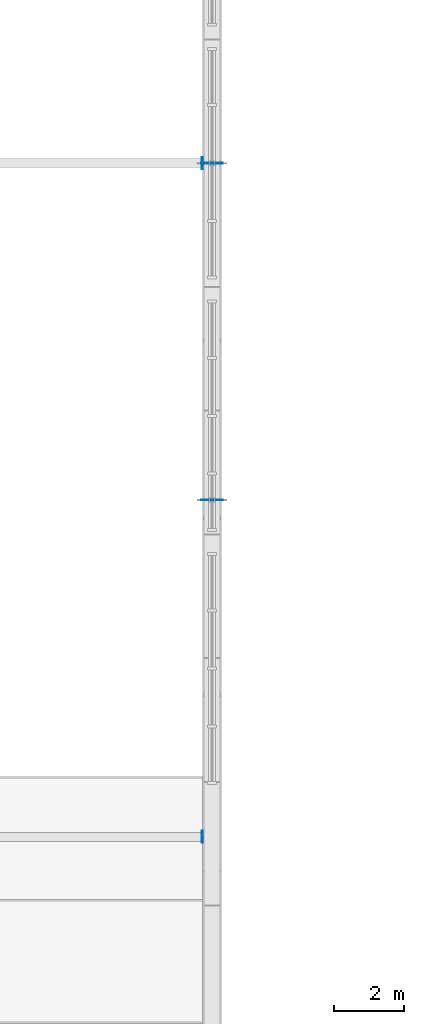
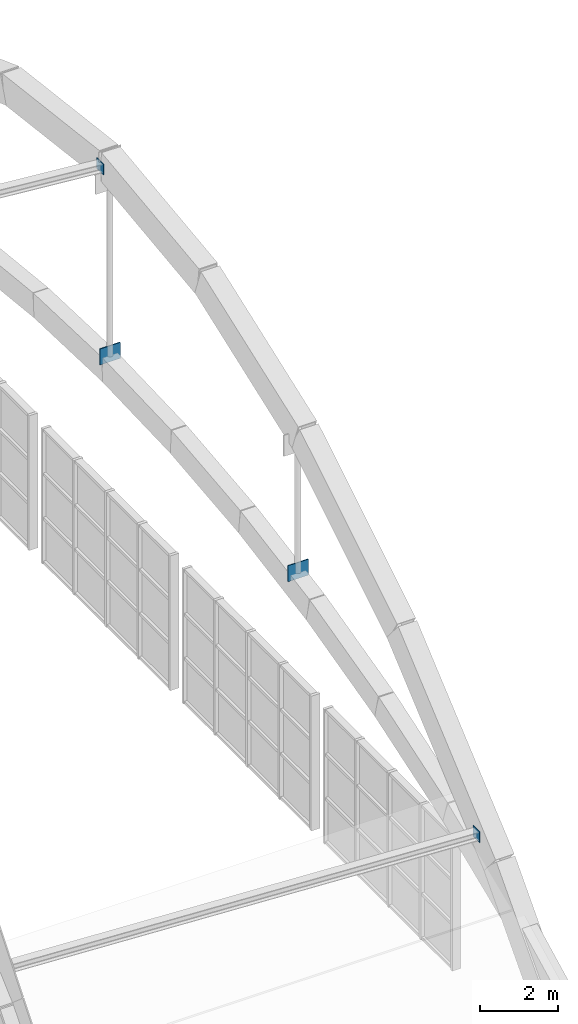
# One storey, part 52 of 64: 4 plates.
"""IFC4 building model written with IfcOpenShell, lengths in metres."""

from ifc_helpers import new_model, si_unit, direction, frame, origin, origin_2d, place, context, subcontext, project, spatial, rectangle, extrude, material, layer, layer_set, type_object, element, save


model = new_model("IFC4")

# Units and contexts
model_context = context("Model", 3, precision=1e-05, world=origin(), true_north=direction((0.0, 1.0)))
body_context = subcontext(model_context, "Body", "Model", "MODEL_VIEW")
ifc_project = project(units=[si_unit("LENGTHUNIT", "METRE"), si_unit("AREAUNIT", "SQUARE_METRE"), si_unit("VOLUMEUNIT", "CUBIC_METRE"), si_unit("PLANEANGLEUNIT", "RADIAN"), si_unit("MASSUNIT", "GRAM", prefix="KILO")], contexts=[model_context])

# Site, building, storey
site_placement = place(None, origin())
site = spatial("IfcSite", under=ifc_project, at=site_placement, CompositionType="ELEMENT")
building_placement = place(site_placement, origin())
building = spatial("IfcBuilding", under=site, at=building_placement, Name="Leyfeld Transit Interchange", CompositionType="ELEMENT")
storey_placement = place(building_placement, frame((0.0, 0.0, 9.60009765625)))
storey = spatial("IfcBuildingStorey", under=building, at=storey_placement, Name="L02", CompositionType="ELEMENT", Elevation=9.60009765625)

# Plates
ifc_material = material(Name="Steel S355J2", Category="steel")
ifc_layer_1 = layer(ifc_material, 0.02490234375, Name="Steel S355J2")
ifc_layer_set_1 = layer_set([ifc_layer_1], Name="Steel S355J2")
plate_type_1 = type_object("IfcPlateType", Name="PLT-CAP-25", PredefinedType="USERDEFINED", material=ifc_layer_set_1)
for number, where, z_axis, x_axis, name in (
    (1, (100.52490234375, 13.199951171875, 4.46826171875), (0.0, 0.0, 1.0), (0.0, 1.0, 0.0), "Arch Tie Chord East End Plate B7 T1"),
    (2, (100.52490234375, 32.39990234375, 13.6298828125), (0.0, 0.0, 1.0), (0.0, 1.0, 0.0), "Arch Tie Chord East End Plate B7 T2"),
):
    element("IfcPlate", number, at=place(storey_placement, frame(where, z_axis=z_axis, x_axis=x_axis)), inside=storey, type_object=plate_type_1, Name=name, ObjectType="FLANGE_PLATE", PredefinedType="USERDEFINED", context=body_context, shape_type="SweptSolid", body=[
        extrude(rectangle(XDim=0.340087890625, YDim=0.02490234375, at=origin_2d()), origin(), (0.0, 0.0, 1.0), 0.340087890625),
    ])
ifc_layer_2 = layer(ifc_material, 0.02490234375, Name="Steel S355J2")
ifc_layer_set_2 = layer_set([ifc_layer_2], Name="Steel S355J2")
plate_type_2 = type_object("IfcPlateType", Name="PLT-GUS-25", PredefinedType="SHEET", material=ifc_layer_set_2)
for number, where, z_axis, x_axis, name in (
    (3, (100.800048828125, 22.800048828125, 6.68505859375), (0.0, 0.0, 1.0), (1.0, 0.0, 0.0), "Hanger Lower Clevis Plate GP-E H3"),
    (4, (100.800048828125, 32.39990234375, 7.615234375), (0.0, 0.0, 1.0), (1.0, 0.0, 0.0), "Hanger Lower Clevis Plate GP-E H4"),
):
    element("IfcPlate", number, at=place(storey_placement, frame(where, z_axis=z_axis, x_axis=x_axis)), inside=storey, type_object=plate_type_2, Name=name, PredefinedType="SHEET", context=body_context, shape_type="SweptSolid", body=[
        extrude(rectangle(XDim=0.60009765625, YDim=0.02490234375, at=origin_2d()), origin(), (0.0, 0.0, 1.0), 0.5),
    ])

save(model, "model.ifc")
